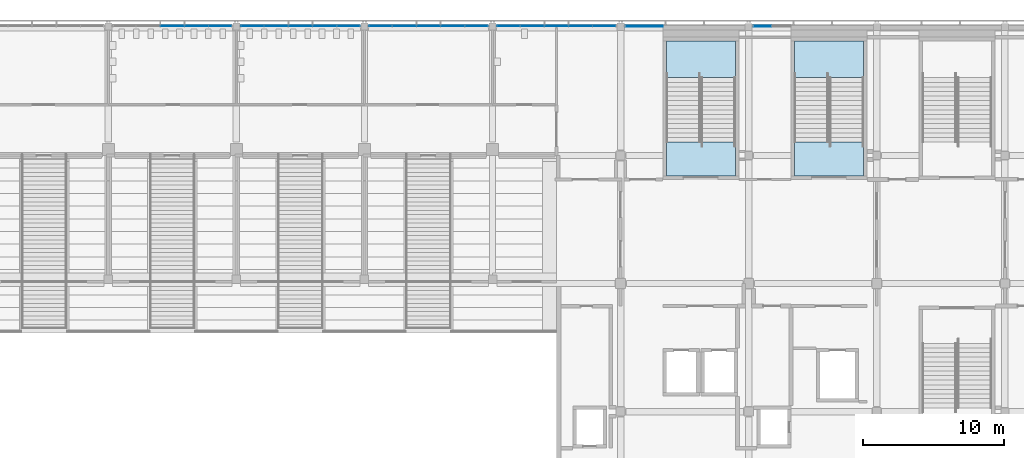
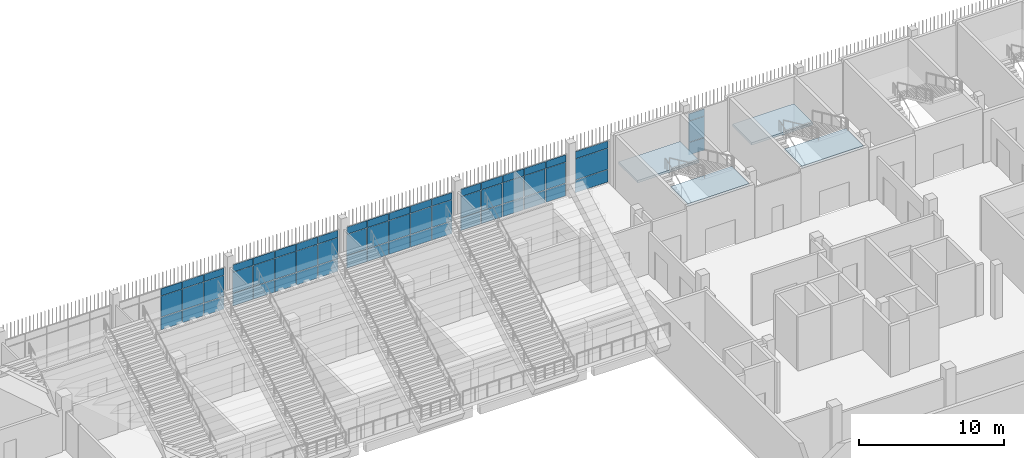
# One storey, part 69 of 139: 60 plates, 4 slabs, 8 elements without a shape of their own.
"""IFC4 building model written with IfcOpenShell, lengths in metres."""

from ifc_helpers import new_model, si_unit, direction, frame, origin, origin_2d, place, context, subcontext, project, spatial, polyline, rectangle, outline, extrude, material, layer, layer_set, type_object, element, aggregate, save


model = new_model("IFC4")

# Units and contexts
model_context = context("Model", 3, precision=1e-05, world=origin(), true_north=direction((0.0, 1.0)))
body_context = subcontext(model_context, "Body", "Model", "MODEL_VIEW")
ifc_project = project(units=[si_unit("LENGTHUNIT", "METRE"), si_unit("AREAUNIT", "SQUARE_METRE"), si_unit("VOLUMEUNIT", "CUBIC_METRE"), si_unit("PLANEANGLEUNIT", "RADIAN"), si_unit("MASSUNIT", "GRAM", prefix="KILO")], contexts=[model_context])

# Site, building, storey
site_placement = place(None, origin())
site = spatial("IfcSite", under=ifc_project, at=site_placement, CompositionType="ELEMENT")
building_placement = place(site_placement, origin())
building = spatial("IfcBuilding", under=site, at=building_placement, Name="Shirokan Park Arena", CompositionType="ELEMENT")
storey_placement = place(building_placement, frame((0.0, 0.0, 15.469970703125)))
storey = spatial("IfcBuildingStorey", under=building, at=storey_placement, Name="L03", CompositionType="ELEMENT", Elevation=15.469970703125)

# Curtain wall, plate
ifc_material_1 = material(Name="Steel and glass curtain wall", Category="steel")
ifc_layer_1 = layer(ifc_material_1, 0.1201171875)
ifc_layer_set_1 = layer_set([ifc_layer_1], Name="Steel and glass curtain wall 120 mm")
curtain_wall_type_1 = type_object("IfcCurtainWallType", Name="Curtain wall corner block side bay 120", PredefinedType="NOTDEFINED", material=ifc_layer_set_1)
curtain_wall_1_placement = place(storey_placement, origin())
curtain_wall_1 = element("IfcCurtainWall", 1, at=curtain_wall_1_placement, inside=storey, type_object=curtain_wall_type_1, Name="Curtain wall north bay 3 L03", PredefinedType="NOTDEFINED")
ifc_material_2 = material(Name="Aluminium sheet", Category="aluminium")
ifc_layer_2 = layer(ifc_material_2, 0.0029296875, Name="Aluminium sheet")
ifc_material_3 = material(Name="Mineral wool insulation")
ifc_layer_3 = layer(ifc_material_3, 0.053955078125, Name="Mineral wool insulation")
ifc_layer_4 = layer(ifc_material_2, 0.0029296875, Name="Aluminium sheet")
ifc_layer_set_2 = layer_set([ifc_layer_2, ifc_layer_3, ifc_layer_4], Name="Aluminium sheet + Mineral wool insulation")
plate_type_1 = type_object("IfcPlateType", Name="Insulated spandrel panel 60", PredefinedType="CURTAIN_PANEL", material=ifc_layer_set_2)
plate_1_placement = place(storey_placement, frame((119.27490234375, 109.2900390625, 2.919921875), z_axis=(0.0, 0.0, 1.0), x_axis=(-1.0, 0.0, 0.0)))
plate_1 = element("IfcPlate", 2, at=plate_1_placement, type_object=plate_type_1, Name="CW3 panel 2.3", PredefinedType="CURTAIN_PANEL", context=body_context, shape_type="SweptSolid", body=[
    extrude(rectangle(XDim=1.25, YDim=0.06005859375, at=origin_2d()), origin(), (0.0, 0.0, 1.0), 0.590087890625),
])

curtain_wall_2_placement = place(storey_placement, origin())
curtain_wall_2 = element("IfcCurtainWall", 3, at=curtain_wall_2_placement, inside=storey, type_object=curtain_wall_type_1, Name="Curtain wall north bay 4 L03", PredefinedType="NOTDEFINED")
plate_2_placement = place(storey_placement, frame((110.887451171875, 109.2900390625, 2.919921875), z_axis=(0.0, 0.0, 1.0), x_axis=(-1.0, 0.0, 0.0)))
plate_2 = element("IfcPlate", 4, at=plate_2_placement, type_object=plate_type_1, Name="CW3 panel 1.3", PredefinedType="CURTAIN_PANEL", context=body_context, shape_type="SweptSolid", body=[
    extrude(rectangle(XDim=2.625, YDim=0.06005859375, at=origin_2d()), origin(), (0.0, 0.0, 1.0), 0.590087890625),
])

# Curtain wall, plates
ifc_layer_5 = layer(ifc_material_1, 0.10009765625)
ifc_layer_set_3 = layer_set([ifc_layer_5], Name="Steel and glass curtain wall 100 mm")
curtain_wall_type_2 = type_object("IfcCurtainWallType", Name="Curtain wall sheltered bay 100", PredefinedType="NOTDEFINED", material=ifc_layer_set_3)
curtain_wall_3_placement = place(storey_placement, origin())
curtain_wall_3 = element("IfcCurtainWall", 5, at=curtain_wall_3_placement, inside=storey, type_object=curtain_wall_type_2, Name="Curtain wall north bay 5 L03", PredefinedType="NOTDEFINED")
plate_3_placement = place(storey_placement, frame((108.030029296875, 109.300048828125, 2.919921875), z_axis=(0.0, 0.0, 1.0), x_axis=(-1.0, 0.0, 0.0)))
plate_3 = element("IfcPlate", 6, at=plate_3_placement, type_object=plate_type_1, Name="CW2 panel 1.3", PredefinedType="CURTAIN_PANEL", context=body_context, shape_type="SweptSolid", body=[
    extrude(rectangle(XDim=1.590087890625, YDim=0.06005859375, at=origin_2d()), origin(), (0.0, 0.0, 1.0), 0.590087890625),
])
plate_4_placement = place(storey_placement, frame((106.3525390625, 109.300048828125, 2.919921875), z_axis=(0.0, 0.0, 1.0), x_axis=(-1.0, 0.0, 0.0)))
plate_4 = element("IfcPlate", 7, at=plate_4_placement, type_object=plate_type_1, Name="CW2 panel 2.3", PredefinedType="CURTAIN_PANEL", context=body_context, shape_type="SweptSolid", body=[
    extrude(rectangle(XDim=1.6650390625, YDim=0.06005859375, at=origin_2d()), origin(), (0.0, 0.0, 1.0), 0.590087890625),
])
plate_5_placement = place(storey_placement, frame((104.637451171875, 109.300048828125, 2.919921875), z_axis=(0.0, 0.0, 1.0), x_axis=(-1.0, 0.0, 0.0)))
plate_5 = element("IfcPlate", 8, at=plate_5_placement, type_object=plate_type_1, Name="CW2 panel 3.3", PredefinedType="CURTAIN_PANEL", context=body_context, shape_type="SweptSolid", body=[
    extrude(rectangle(XDim=1.6650390625, YDim=0.06005859375, at=origin_2d()), origin(), (0.0, 0.0, 1.0), 0.590087890625),
])
plate_6_placement = place(storey_placement, frame((102.922607421875, 109.300048828125, 2.919921875), z_axis=(0.0, 0.0, 1.0), x_axis=(-1.0, 0.0, 0.0)))
plate_6 = element("IfcPlate", 9, at=plate_6_placement, type_object=plate_type_1, Name="CW2 panel 4.3", PredefinedType="CURTAIN_PANEL", context=body_context, shape_type="SweptSolid", body=[
    extrude(rectangle(XDim=1.6650390625, YDim=0.06005859375, at=origin_2d()), origin(), (0.0, 0.0, 1.0), 0.590087890625),
])
plate_7_placement = place(storey_placement, frame((101.2451171875, 109.300048828125, 2.919921875), z_axis=(0.0, 0.0, 1.0), x_axis=(-1.0, 0.0, 0.0)))
plate_7 = element("IfcPlate", 10, at=plate_7_placement, type_object=plate_type_1, Name="CW2 panel 5.3", PredefinedType="CURTAIN_PANEL", context=body_context, shape_type="SweptSolid", body=[
    extrude(rectangle(XDim=1.590087890625, YDim=0.06005859375, at=origin_2d()), origin(), (0.0, 0.0, 1.0), 0.590087890625),
])

curtain_wall_4_placement = place(storey_placement, origin())
curtain_wall_4 = element("IfcCurtainWall", 11, at=curtain_wall_4_placement, inside=storey, type_object=curtain_wall_type_2, Name="Curtain wall north bay 6 L03", PredefinedType="NOTDEFINED")
plate_8_placement = place(storey_placement, frame((98.952392578125, 109.300048828125, 2.919921875), z_axis=(0.0, 0.0, 1.0), x_axis=(-1.0, 0.0, 0.0)))
plate_8 = element("IfcPlate", 12, at=plate_8_placement, type_object=plate_type_1, Name="CW2 panel 1.3", PredefinedType="CURTAIN_PANEL", context=body_context, shape_type="SweptSolid", body=[
    extrude(rectangle(XDim=1.594970703125, YDim=0.06005859375, at=origin_2d()), origin(), (0.0, 0.0, 1.0), 0.590087890625),
])
plate_9_placement = place(storey_placement, frame((97.27001953125, 109.300048828125, 2.919921875), z_axis=(0.0, 0.0, 1.0), x_axis=(-1.0, 0.0, 0.0)))
plate_9 = element("IfcPlate", 13, at=plate_9_placement, type_object=plate_type_1, Name="CW2 panel 2.3", PredefinedType="CURTAIN_PANEL", context=body_context, shape_type="SweptSolid", body=[
    extrude(rectangle(XDim=1.669921875, YDim=0.06005859375, at=origin_2d()), origin(), (0.0, 0.0, 1.0), 0.590087890625),
])
plate_10_placement = place(storey_placement, frame((95.550048828125, 109.300048828125, 2.919921875), z_axis=(0.0, 0.0, 1.0), x_axis=(-1.0, 0.0, 0.0)))
plate_10 = element("IfcPlate", 14, at=plate_10_placement, type_object=plate_type_1, Name="CW2 panel 3.3", PredefinedType="CURTAIN_PANEL", context=body_context, shape_type="SweptSolid", body=[
    extrude(rectangle(XDim=1.669921875, YDim=0.06005859375, at=origin_2d()), origin(), (0.0, 0.0, 1.0), 0.590087890625),
])
plate_11_placement = place(storey_placement, frame((93.830078125, 109.300048828125, 2.919921875), z_axis=(0.0, 0.0, 1.0), x_axis=(-1.0, 0.0, 0.0)))
plate_11 = element("IfcPlate", 15, at=plate_11_placement, type_object=plate_type_1, Name="CW2 panel 4.3", PredefinedType="CURTAIN_PANEL", context=body_context, shape_type="SweptSolid", body=[
    extrude(rectangle(XDim=1.669921875, YDim=0.06005859375, at=origin_2d()), origin(), (0.0, 0.0, 1.0), 0.590087890625),
])
plate_12_placement = place(storey_placement, frame((92.1474609375, 109.300048828125, 2.919921875), z_axis=(0.0, 0.0, 1.0), x_axis=(-1.0, 0.0, 0.0)))
plate_12 = element("IfcPlate", 16, at=plate_12_placement, type_object=plate_type_1, Name="CW2 panel 5.3", PredefinedType="CURTAIN_PANEL", context=body_context, shape_type="SweptSolid", body=[
    extrude(rectangle(XDim=1.594970703125, YDim=0.06005859375, at=origin_2d()), origin(), (0.0, 0.0, 1.0), 0.590087890625),
])

curtain_wall_5_placement = place(storey_placement, origin())
curtain_wall_5 = element("IfcCurtainWall", 17, at=curtain_wall_5_placement, inside=storey, type_object=curtain_wall_type_2, Name="Curtain wall north bay 7 L03", PredefinedType="NOTDEFINED")
plate_13_placement = place(storey_placement, frame((89.8525390625, 109.300048828125, 2.919921875), z_axis=(0.0, 0.0, 1.0), x_axis=(-1.0, 0.0, 0.0)))
plate_13 = element("IfcPlate", 18, at=plate_13_placement, type_object=plate_type_1, Name="CW2 panel 1.3", PredefinedType="CURTAIN_PANEL", context=body_context, shape_type="SweptSolid", body=[
    extrude(rectangle(XDim=1.594970703125, YDim=0.06005859375, at=origin_2d()), origin(), (0.0, 0.0, 1.0), 0.590087890625),
])
plate_14_placement = place(storey_placement, frame((88.169921875, 109.300048828125, 2.919921875), z_axis=(0.0, 0.0, 1.0), x_axis=(-1.0, 0.0, 0.0)))
plate_14 = element("IfcPlate", 19, at=plate_14_placement, type_object=plate_type_1, Name="CW2 panel 2.3", PredefinedType="CURTAIN_PANEL", context=body_context, shape_type="SweptSolid", body=[
    extrude(rectangle(XDim=1.669921875, YDim=0.06005859375, at=origin_2d()), origin(), (0.0, 0.0, 1.0), 0.590087890625),
])
plate_15_placement = place(storey_placement, frame((86.449951171875, 109.300048828125, 2.919921875), z_axis=(0.0, 0.0, 1.0), x_axis=(-1.0, 0.0, 0.0)))
plate_15 = element("IfcPlate", 20, at=plate_15_placement, type_object=plate_type_1, Name="CW2 panel 3.3", PredefinedType="CURTAIN_PANEL", context=body_context, shape_type="SweptSolid", body=[
    extrude(rectangle(XDim=1.669921875, YDim=0.06005859375, at=origin_2d()), origin(), (0.0, 0.0, 1.0), 0.590087890625),
])
plate_16_placement = place(storey_placement, frame((84.72998046875, 109.300048828125, 2.919921875), z_axis=(0.0, 0.0, 1.0), x_axis=(-1.0, 0.0, 0.0)))
plate_16 = element("IfcPlate", 21, at=plate_16_placement, type_object=plate_type_1, Name="CW2 panel 4.3", PredefinedType="CURTAIN_PANEL", context=body_context, shape_type="SweptSolid", body=[
    extrude(rectangle(XDim=1.669921875, YDim=0.06005859375, at=origin_2d()), origin(), (0.0, 0.0, 1.0), 0.590087890625),
])
plate_17_placement = place(storey_placement, frame((83.047607421875, 109.300048828125, 2.919921875), z_axis=(0.0, 0.0, 1.0), x_axis=(-1.0, 0.0, 0.0)))
plate_17 = element("IfcPlate", 22, at=plate_17_placement, type_object=plate_type_1, Name="CW2 panel 5.3", PredefinedType="CURTAIN_PANEL", context=body_context, shape_type="SweptSolid", body=[
    extrude(rectangle(XDim=1.594970703125, YDim=0.06005859375, at=origin_2d()), origin(), (0.0, 0.0, 1.0), 0.590087890625),
])

curtain_wall_6_placement = place(storey_placement, origin())
curtain_wall_6 = element("IfcCurtainWall", 23, at=curtain_wall_6_placement, inside=storey, type_object=curtain_wall_type_2, Name="Curtain wall north bay 8 L03", PredefinedType="NOTDEFINED")
plate_18_placement = place(storey_placement, frame((80.75244140625, 109.300048828125, 2.919921875), z_axis=(0.0, 0.0, 1.0), x_axis=(-1.0, 0.0, 0.0)))
plate_18 = element("IfcPlate", 24, at=plate_18_placement, type_object=plate_type_1, Name="CW2 panel 1.3", PredefinedType="CURTAIN_PANEL", context=body_context, shape_type="SweptSolid", body=[
    extrude(rectangle(XDim=1.594970703125, YDim=0.06005859375, at=origin_2d()), origin(), (0.0, 0.0, 1.0), 0.590087890625),
])
plate_19_placement = place(storey_placement, frame((79.070068359375, 109.300048828125, 2.919921875), z_axis=(0.0, 0.0, 1.0), x_axis=(-1.0, 0.0, 0.0)))
plate_19 = element("IfcPlate", 25, at=plate_19_placement, type_object=plate_type_1, Name="CW2 panel 2.3", PredefinedType="CURTAIN_PANEL", context=body_context, shape_type="SweptSolid", body=[
    extrude(rectangle(XDim=1.669921875, YDim=0.06005859375, at=origin_2d()), origin(), (0.0, 0.0, 1.0), 0.590087890625),
])
plate_20_placement = place(storey_placement, frame((77.35009765625, 109.300048828125, 2.919921875), z_axis=(0.0, 0.0, 1.0), x_axis=(-1.0, 0.0, 0.0)))
plate_20 = element("IfcPlate", 26, at=plate_20_placement, type_object=plate_type_1, Name="CW2 panel 3.3", PredefinedType="CURTAIN_PANEL", context=body_context, shape_type="SweptSolid", body=[
    extrude(rectangle(XDim=1.669921875, YDim=0.06005859375, at=origin_2d()), origin(), (0.0, 0.0, 1.0), 0.590087890625),
])

# Plate
ifc_material_4 = material(Name="Toughened glass", Category="glass")
ifc_layer_6 = layer(ifc_material_4, 0.012939453125, Name="Toughened glass")
ifc_material_5 = material(Name="Interlayer film")
ifc_layer_7 = layer(ifc_material_5, 0.001953125, Name="Interlayer film")
ifc_layer_8 = layer(ifc_material_4, 0.012939453125, Name="Toughened glass")
ifc_layer_set_4 = layer_set([ifc_layer_6, ifc_layer_7, ifc_layer_8], Name="Toughened glass + Interlayer film")
plate_type_2 = type_object("IfcPlateType", Name="Laminated glass panel 28", PredefinedType="CURTAIN_PANEL", material=ifc_layer_set_4)
plate_21_placement = place(storey_placement, frame((119.27490234375, 109.2900390625, 1.1201171875), z_axis=(0.0, 0.0, 1.0), x_axis=(-1.0, 0.0, 0.0)))
plate_21 = element("IfcPlate", 27, at=plate_21_placement, type_object=plate_type_2, Name="CW3 panel 2.2", PredefinedType="CURTAIN_PANEL", context=body_context, shape_type="SweptSolid", body=[
    extrude(rectangle(XDim=1.25, YDim=0.028076171875, at=origin_2d()), origin(), (0.0, 0.0, 1.0), 1.760009765625),
])

plate_22_placement = place(storey_placement, frame((110.887451171875, 109.2900390625, 1.1201171875), z_axis=(0.0, 0.0, 1.0), x_axis=(-1.0, 0.0, 0.0)))
plate_22 = element("IfcPlate", 28, at=plate_22_placement, type_object=plate_type_2, Name="CW3 panel 1.2", PredefinedType="CURTAIN_PANEL", context=body_context, shape_type="SweptSolid", body=[
    extrude(rectangle(XDim=2.625, YDim=0.028076171875, at=origin_2d()), origin(), (0.0, 0.0, 1.0), 1.760009765625),
])

plate_23_placement = place(storey_placement, frame((108.030029296875, 109.300048828125, 1.1201171875), z_axis=(0.0, 0.0, 1.0), x_axis=(-1.0, 0.0, 0.0)))
plate_23 = element("IfcPlate", 29, at=plate_23_placement, type_object=plate_type_2, Name="CW2 panel 1.2", PredefinedType="CURTAIN_PANEL", context=body_context, shape_type="SweptSolid", body=[
    extrude(rectangle(XDim=1.590087890625, YDim=0.028076171875, at=origin_2d()), origin(), (0.0, 0.0, 1.0), 1.760009765625),
])

plate_24_placement = place(storey_placement, frame((106.3525390625, 109.300048828125, 1.1201171875), z_axis=(0.0, 0.0, 1.0), x_axis=(-1.0, 0.0, 0.0)))
plate_24 = element("IfcPlate", 30, at=plate_24_placement, type_object=plate_type_2, Name="CW2 panel 2.2", PredefinedType="CURTAIN_PANEL", context=body_context, shape_type="SweptSolid", body=[
    extrude(rectangle(XDim=1.6650390625, YDim=0.028076171875, at=origin_2d()), origin(), (0.0, 0.0, 1.0), 1.760009765625),
])

plate_25_placement = place(storey_placement, frame((104.637451171875, 109.300048828125, 1.1201171875), z_axis=(0.0, 0.0, 1.0), x_axis=(-1.0, 0.0, 0.0)))
plate_25 = element("IfcPlate", 31, at=plate_25_placement, type_object=plate_type_2, Name="CW2 panel 3.2", PredefinedType="CURTAIN_PANEL", context=body_context, shape_type="SweptSolid", body=[
    extrude(rectangle(XDim=1.6650390625, YDim=0.028076171875, at=origin_2d()), origin(), (0.0, 0.0, 1.0), 1.760009765625),
])

plate_26_placement = place(storey_placement, frame((102.922607421875, 109.300048828125, 1.1201171875), z_axis=(0.0, 0.0, 1.0), x_axis=(-1.0, 0.0, 0.0)))
plate_26 = element("IfcPlate", 32, at=plate_26_placement, type_object=plate_type_2, Name="CW2 panel 4.2", PredefinedType="CURTAIN_PANEL", context=body_context, shape_type="SweptSolid", body=[
    extrude(rectangle(XDim=1.6650390625, YDim=0.028076171875, at=origin_2d()), origin(), (0.0, 0.0, 1.0), 1.760009765625),
])

plate_27_placement = place(storey_placement, frame((101.2451171875, 109.300048828125, 1.1201171875), z_axis=(0.0, 0.0, 1.0), x_axis=(-1.0, 0.0, 0.0)))
plate_27 = element("IfcPlate", 33, at=plate_27_placement, type_object=plate_type_2, Name="CW2 panel 5.2", PredefinedType="CURTAIN_PANEL", context=body_context, shape_type="SweptSolid", body=[
    extrude(rectangle(XDim=1.590087890625, YDim=0.028076171875, at=origin_2d()), origin(), (0.0, 0.0, 1.0), 1.760009765625),
])

plate_28_placement = place(storey_placement, frame((98.952392578125, 109.300048828125, 1.1201171875), z_axis=(0.0, 0.0, 1.0), x_axis=(-1.0, 0.0, 0.0)))
plate_28 = element("IfcPlate", 34, at=plate_28_placement, type_object=plate_type_2, Name="CW2 panel 1.2", PredefinedType="CURTAIN_PANEL", context=body_context, shape_type="SweptSolid", body=[
    extrude(rectangle(XDim=1.594970703125, YDim=0.028076171875, at=origin_2d()), origin(), (0.0, 0.0, 1.0), 1.760009765625),
])

plate_29_placement = place(storey_placement, frame((97.27001953125, 109.300048828125, 1.1201171875), z_axis=(0.0, 0.0, 1.0), x_axis=(-1.0, 0.0, 0.0)))
plate_29 = element("IfcPlate", 35, at=plate_29_placement, type_object=plate_type_2, Name="CW2 panel 2.2", PredefinedType="CURTAIN_PANEL", context=body_context, shape_type="SweptSolid", body=[
    extrude(rectangle(XDim=1.669921875, YDim=0.028076171875, at=origin_2d()), origin(), (0.0, 0.0, 1.0), 1.760009765625),
])

plate_30_placement = place(storey_placement, frame((95.550048828125, 109.300048828125, 1.1201171875), z_axis=(0.0, 0.0, 1.0), x_axis=(-1.0, 0.0, 0.0)))
plate_30 = element("IfcPlate", 36, at=plate_30_placement, type_object=plate_type_2, Name="CW2 panel 3.2", PredefinedType="CURTAIN_PANEL", context=body_context, shape_type="SweptSolid", body=[
    extrude(rectangle(XDim=1.669921875, YDim=0.028076171875, at=origin_2d()), origin(), (0.0, 0.0, 1.0), 1.760009765625),
])

plate_31_placement = place(storey_placement, frame((93.830078125, 109.300048828125, 1.1201171875), z_axis=(0.0, 0.0, 1.0), x_axis=(-1.0, 0.0, 0.0)))
plate_31 = element("IfcPlate", 37, at=plate_31_placement, type_object=plate_type_2, Name="CW2 panel 4.2", PredefinedType="CURTAIN_PANEL", context=body_context, shape_type="SweptSolid", body=[
    extrude(rectangle(XDim=1.669921875, YDim=0.028076171875, at=origin_2d()), origin(), (0.0, 0.0, 1.0), 1.760009765625),
])

plate_32_placement = place(storey_placement, frame((92.1474609375, 109.300048828125, 1.1201171875), z_axis=(0.0, 0.0, 1.0), x_axis=(-1.0, 0.0, 0.0)))
plate_32 = element("IfcPlate", 38, at=plate_32_placement, type_object=plate_type_2, Name="CW2 panel 5.2", PredefinedType="CURTAIN_PANEL", context=body_context, shape_type="SweptSolid", body=[
    extrude(rectangle(XDim=1.594970703125, YDim=0.028076171875, at=origin_2d()), origin(), (0.0, 0.0, 1.0), 1.760009765625),
])

plate_33_placement = place(storey_placement, frame((89.8525390625, 109.300048828125, 1.1201171875), z_axis=(0.0, 0.0, 1.0), x_axis=(-1.0, 0.0, 0.0)))
plate_33 = element("IfcPlate", 39, at=plate_33_placement, type_object=plate_type_2, Name="CW2 panel 1.2", PredefinedType="CURTAIN_PANEL", context=body_context, shape_type="SweptSolid", body=[
    extrude(rectangle(XDim=1.594970703125, YDim=0.028076171875, at=origin_2d()), origin(), (0.0, 0.0, 1.0), 1.760009765625),
])

plate_34_placement = place(storey_placement, frame((88.169921875, 109.300048828125, 1.1201171875), z_axis=(0.0, 0.0, 1.0), x_axis=(-1.0, 0.0, 0.0)))
plate_34 = element("IfcPlate", 40, at=plate_34_placement, type_object=plate_type_2, Name="CW2 panel 2.2", PredefinedType="CURTAIN_PANEL", context=body_context, shape_type="SweptSolid", body=[
    extrude(rectangle(XDim=1.669921875, YDim=0.028076171875, at=origin_2d()), origin(), (0.0, 0.0, 1.0), 1.760009765625),
])

plate_35_placement = place(storey_placement, frame((86.449951171875, 109.300048828125, 1.1201171875), z_axis=(0.0, 0.0, 1.0), x_axis=(-1.0, 0.0, 0.0)))
plate_35 = element("IfcPlate", 41, at=plate_35_placement, type_object=plate_type_2, Name="CW2 panel 3.2", PredefinedType="CURTAIN_PANEL", context=body_context, shape_type="SweptSolid", body=[
    extrude(rectangle(XDim=1.669921875, YDim=0.028076171875, at=origin_2d()), origin(), (0.0, 0.0, 1.0), 1.760009765625),
])

plate_36_placement = place(storey_placement, frame((84.72998046875, 109.300048828125, 1.1201171875), z_axis=(0.0, 0.0, 1.0), x_axis=(-1.0, 0.0, 0.0)))
plate_36 = element("IfcPlate", 42, at=plate_36_placement, type_object=plate_type_2, Name="CW2 panel 4.2", PredefinedType="CURTAIN_PANEL", context=body_context, shape_type="SweptSolid", body=[
    extrude(rectangle(XDim=1.669921875, YDim=0.028076171875, at=origin_2d()), origin(), (0.0, 0.0, 1.0), 1.760009765625),
])

plate_37_placement = place(storey_placement, frame((83.047607421875, 109.300048828125, 1.1201171875), z_axis=(0.0, 0.0, 1.0), x_axis=(-1.0, 0.0, 0.0)))
plate_37 = element("IfcPlate", 43, at=plate_37_placement, type_object=plate_type_2, Name="CW2 panel 5.2", PredefinedType="CURTAIN_PANEL", context=body_context, shape_type="SweptSolid", body=[
    extrude(rectangle(XDim=1.594970703125, YDim=0.028076171875, at=origin_2d()), origin(), (0.0, 0.0, 1.0), 1.760009765625),
])

plate_38_placement = place(storey_placement, frame((80.75244140625, 109.300048828125, 1.1201171875), z_axis=(0.0, 0.0, 1.0), x_axis=(-1.0, 0.0, 0.0)))
plate_38 = element("IfcPlate", 44, at=plate_38_placement, type_object=plate_type_2, Name="CW2 panel 1.2", PredefinedType="CURTAIN_PANEL", context=body_context, shape_type="SweptSolid", body=[
    extrude(rectangle(XDim=1.594970703125, YDim=0.028076171875, at=origin_2d()), origin(), (0.0, 0.0, 1.0), 1.760009765625),
])

plate_39_placement = place(storey_placement, frame((79.070068359375, 109.300048828125, 1.1201171875), z_axis=(0.0, 0.0, 1.0), x_axis=(-1.0, 0.0, 0.0)))
plate_39 = element("IfcPlate", 45, at=plate_39_placement, type_object=plate_type_2, Name="CW2 panel 2.2", PredefinedType="CURTAIN_PANEL", context=body_context, shape_type="SweptSolid", body=[
    extrude(rectangle(XDim=1.669921875, YDim=0.028076171875, at=origin_2d()), origin(), (0.0, 0.0, 1.0), 1.760009765625),
])

plate_40_placement = place(storey_placement, frame((77.35009765625, 109.300048828125, 1.1201171875), z_axis=(0.0, 0.0, 1.0), x_axis=(-1.0, 0.0, 0.0)))
plate_40 = element("IfcPlate", 46, at=plate_40_placement, type_object=plate_type_2, Name="CW2 panel 3.2", PredefinedType="CURTAIN_PANEL", context=body_context, shape_type="SweptSolid", body=[
    extrude(rectangle(XDim=1.669921875, YDim=0.028076171875, at=origin_2d()), origin(), (0.0, 0.0, 1.0), 1.760009765625),
])

ifc_layer_9 = layer(ifc_material_4, 0.01708984375, Name="Toughened glass")
ifc_layer_10 = layer(ifc_material_5, 0.001953125, Name="Interlayer film")
ifc_layer_11 = layer(ifc_material_4, 0.01708984375, Name="Toughened glass")
ifc_layer_set_5 = layer_set([ifc_layer_9, ifc_layer_10, ifc_layer_11], Name="Toughened glass + Interlayer film")
plate_type_3 = type_object("IfcPlateType", Name="Laminated safety glass panel 36", PredefinedType="CURTAIN_PANEL", material=ifc_layer_set_5)
plate_41_placement = place(storey_placement, frame((119.27490234375, 109.2900390625, 0.0400390625), z_axis=(0.0, 0.0, 1.0), x_axis=(-1.0, 0.0, 0.0)))
plate_41 = element("IfcPlate", 47, at=plate_41_placement, type_object=plate_type_3, Name="CW3 panel 2.1", PredefinedType="CURTAIN_PANEL", context=body_context, shape_type="SweptSolid", body=[
    extrude(rectangle(XDim=1.25, YDim=0.035888671875, at=origin_2d()), origin(), (0.0, 0.0, 1.0), 1.0400390625),
])

aggregate(curtain_wall_1, [plate_41, plate_21, plate_1])

plate_42_placement = place(storey_placement, frame((110.887451171875, 109.2900390625, 0.0400390625), z_axis=(0.0, 0.0, 1.0), x_axis=(-1.0, 0.0, 0.0)))
plate_42 = element("IfcPlate", 48, at=plate_42_placement, type_object=plate_type_3, Name="CW3 panel 1.1", PredefinedType="CURTAIN_PANEL", context=body_context, shape_type="SweptSolid", body=[
    extrude(rectangle(XDim=2.625, YDim=0.035888671875, at=origin_2d()), origin(), (0.0, 0.0, 1.0), 1.0400390625),
])

aggregate(curtain_wall_2, [plate_42, plate_22, plate_2])

plate_43_placement = place(storey_placement, frame((108.030029296875, 109.300048828125, 0.0400390625), z_axis=(0.0, 0.0, 1.0), x_axis=(-1.0, 0.0, 0.0)))
plate_43 = element("IfcPlate", 49, at=plate_43_placement, type_object=plate_type_3, Name="CW2 panel 1.1", PredefinedType="CURTAIN_PANEL", context=body_context, shape_type="SweptSolid", body=[
    extrude(rectangle(XDim=1.590087890625, YDim=0.035888671875, at=origin_2d()), origin(), (0.0, 0.0, 1.0), 1.0400390625),
])

plate_44_placement = place(storey_placement, frame((106.3525390625, 109.300048828125, 0.0400390625), z_axis=(0.0, 0.0, 1.0), x_axis=(-1.0, 0.0, 0.0)))
plate_44 = element("IfcPlate", 50, at=plate_44_placement, type_object=plate_type_3, Name="CW2 panel 2.1", PredefinedType="CURTAIN_PANEL", context=body_context, shape_type="SweptSolid", body=[
    extrude(rectangle(XDim=1.6650390625, YDim=0.035888671875, at=origin_2d()), origin(), (0.0, 0.0, 1.0), 1.0400390625),
])

plate_45_placement = place(storey_placement, frame((104.637451171875, 109.300048828125, 0.0400390625), z_axis=(0.0, 0.0, 1.0), x_axis=(-1.0, 0.0, 0.0)))
plate_45 = element("IfcPlate", 51, at=plate_45_placement, type_object=plate_type_3, Name="CW2 panel 3.1", PredefinedType="CURTAIN_PANEL", context=body_context, shape_type="SweptSolid", body=[
    extrude(rectangle(XDim=1.6650390625, YDim=0.035888671875, at=origin_2d()), origin(), (0.0, 0.0, 1.0), 1.0400390625),
])

plate_46_placement = place(storey_placement, frame((102.922607421875, 109.300048828125, 0.0400390625), z_axis=(0.0, 0.0, 1.0), x_axis=(-1.0, 0.0, 0.0)))
plate_46 = element("IfcPlate", 52, at=plate_46_placement, type_object=plate_type_3, Name="CW2 panel 4.1", PredefinedType="CURTAIN_PANEL", context=body_context, shape_type="SweptSolid", body=[
    extrude(rectangle(XDim=1.6650390625, YDim=0.035888671875, at=origin_2d()), origin(), (0.0, 0.0, 1.0), 1.0400390625),
])

plate_47_placement = place(storey_placement, frame((101.2451171875, 109.300048828125, 0.0400390625), z_axis=(0.0, 0.0, 1.0), x_axis=(-1.0, 0.0, 0.0)))
plate_47 = element("IfcPlate", 53, at=plate_47_placement, type_object=plate_type_3, Name="CW2 panel 5.1", PredefinedType="CURTAIN_PANEL", context=body_context, shape_type="SweptSolid", body=[
    extrude(rectangle(XDim=1.590087890625, YDim=0.035888671875, at=origin_2d()), origin(), (0.0, 0.0, 1.0), 1.0400390625),
])

aggregate(curtain_wall_3, [plate_43, plate_23, plate_3, plate_44, plate_24, plate_4, plate_45, plate_25, plate_5, plate_46, plate_26, plate_6, plate_47, plate_27, plate_7])

plate_48_placement = place(storey_placement, frame((98.952392578125, 109.300048828125, 0.0400390625), z_axis=(0.0, 0.0, 1.0), x_axis=(-1.0, 0.0, 0.0)))
plate_48 = element("IfcPlate", 54, at=plate_48_placement, type_object=plate_type_3, Name="CW2 panel 1.1", PredefinedType="CURTAIN_PANEL", context=body_context, shape_type="SweptSolid", body=[
    extrude(rectangle(XDim=1.594970703125, YDim=0.035888671875, at=origin_2d()), origin(), (0.0, 0.0, 1.0), 1.0400390625),
])

plate_49_placement = place(storey_placement, frame((97.27001953125, 109.300048828125, 0.0400390625), z_axis=(0.0, 0.0, 1.0), x_axis=(-1.0, 0.0, 0.0)))
plate_49 = element("IfcPlate", 55, at=plate_49_placement, type_object=plate_type_3, Name="CW2 panel 2.1", PredefinedType="CURTAIN_PANEL", context=body_context, shape_type="SweptSolid", body=[
    extrude(rectangle(XDim=1.669921875, YDim=0.035888671875, at=origin_2d()), origin(), (0.0, 0.0, 1.0), 1.0400390625),
])

plate_50_placement = place(storey_placement, frame((95.550048828125, 109.300048828125, 0.0400390625), z_axis=(0.0, 0.0, 1.0), x_axis=(-1.0, 0.0, 0.0)))
plate_50 = element("IfcPlate", 56, at=plate_50_placement, type_object=plate_type_3, Name="CW2 panel 3.1", PredefinedType="CURTAIN_PANEL", context=body_context, shape_type="SweptSolid", body=[
    extrude(rectangle(XDim=1.669921875, YDim=0.035888671875, at=origin_2d()), origin(), (0.0, 0.0, 1.0), 1.0400390625),
])

plate_51_placement = place(storey_placement, frame((93.830078125, 109.300048828125, 0.0400390625), z_axis=(0.0, 0.0, 1.0), x_axis=(-1.0, 0.0, 0.0)))
plate_51 = element("IfcPlate", 57, at=plate_51_placement, type_object=plate_type_3, Name="CW2 panel 4.1", PredefinedType="CURTAIN_PANEL", context=body_context, shape_type="SweptSolid", body=[
    extrude(rectangle(XDim=1.669921875, YDim=0.035888671875, at=origin_2d()), origin(), (0.0, 0.0, 1.0), 1.0400390625),
])

plate_52_placement = place(storey_placement, frame((92.1474609375, 109.300048828125, 0.0400390625), z_axis=(0.0, 0.0, 1.0), x_axis=(-1.0, 0.0, 0.0)))
plate_52 = element("IfcPlate", 58, at=plate_52_placement, type_object=plate_type_3, Name="CW2 panel 5.1", PredefinedType="CURTAIN_PANEL", context=body_context, shape_type="SweptSolid", body=[
    extrude(rectangle(XDim=1.594970703125, YDim=0.035888671875, at=origin_2d()), origin(), (0.0, 0.0, 1.0), 1.0400390625),
])

aggregate(curtain_wall_4, [plate_48, plate_28, plate_8, plate_49, plate_29, plate_9, plate_50, plate_30, plate_10, plate_51, plate_31, plate_11, plate_52, plate_32, plate_12])

plate_53_placement = place(storey_placement, frame((89.8525390625, 109.300048828125, 0.0400390625), z_axis=(0.0, 0.0, 1.0), x_axis=(-1.0, 0.0, 0.0)))
plate_53 = element("IfcPlate", 59, at=plate_53_placement, type_object=plate_type_3, Name="CW2 panel 1.1", PredefinedType="CURTAIN_PANEL", context=body_context, shape_type="SweptSolid", body=[
    extrude(rectangle(XDim=1.594970703125, YDim=0.035888671875, at=origin_2d()), origin(), (0.0, 0.0, 1.0), 1.0400390625),
])

plate_54_placement = place(storey_placement, frame((88.169921875, 109.300048828125, 0.0400390625), z_axis=(0.0, 0.0, 1.0), x_axis=(-1.0, 0.0, 0.0)))
plate_54 = element("IfcPlate", 60, at=plate_54_placement, type_object=plate_type_3, Name="CW2 panel 2.1", PredefinedType="CURTAIN_PANEL", context=body_context, shape_type="SweptSolid", body=[
    extrude(rectangle(XDim=1.669921875, YDim=0.035888671875, at=origin_2d()), origin(), (0.0, 0.0, 1.0), 1.0400390625),
])

plate_55_placement = place(storey_placement, frame((86.449951171875, 109.300048828125, 0.0400390625), z_axis=(0.0, 0.0, 1.0), x_axis=(-1.0, 0.0, 0.0)))
plate_55 = element("IfcPlate", 61, at=plate_55_placement, type_object=plate_type_3, Name="CW2 panel 3.1", PredefinedType="CURTAIN_PANEL", context=body_context, shape_type="SweptSolid", body=[
    extrude(rectangle(XDim=1.669921875, YDim=0.035888671875, at=origin_2d()), origin(), (0.0, 0.0, 1.0), 1.0400390625),
])

plate_56_placement = place(storey_placement, frame((84.72998046875, 109.300048828125, 0.0400390625), z_axis=(0.0, 0.0, 1.0), x_axis=(-1.0, 0.0, 0.0)))
plate_56 = element("IfcPlate", 62, at=plate_56_placement, type_object=plate_type_3, Name="CW2 panel 4.1", PredefinedType="CURTAIN_PANEL", context=body_context, shape_type="SweptSolid", body=[
    extrude(rectangle(XDim=1.669921875, YDim=0.035888671875, at=origin_2d()), origin(), (0.0, 0.0, 1.0), 1.0400390625),
])

plate_57_placement = place(storey_placement, frame((83.047607421875, 109.300048828125, 0.0400390625), z_axis=(0.0, 0.0, 1.0), x_axis=(-1.0, 0.0, 0.0)))
plate_57 = element("IfcPlate", 63, at=plate_57_placement, type_object=plate_type_3, Name="CW2 panel 5.1", PredefinedType="CURTAIN_PANEL", context=body_context, shape_type="SweptSolid", body=[
    extrude(rectangle(XDim=1.594970703125, YDim=0.035888671875, at=origin_2d()), origin(), (0.0, 0.0, 1.0), 1.0400390625),
])

aggregate(curtain_wall_5, [plate_53, plate_33, plate_13, plate_54, plate_34, plate_14, plate_55, plate_35, plate_15, plate_56, plate_36, plate_16, plate_57, plate_37, plate_17])

plate_58_placement = place(storey_placement, frame((80.75244140625, 109.300048828125, 0.0400390625), z_axis=(0.0, 0.0, 1.0), x_axis=(-1.0, 0.0, 0.0)))
plate_58 = element("IfcPlate", 64, at=plate_58_placement, type_object=plate_type_3, Name="CW2 panel 1.1", PredefinedType="CURTAIN_PANEL", context=body_context, shape_type="SweptSolid", body=[
    extrude(rectangle(XDim=1.594970703125, YDim=0.035888671875, at=origin_2d()), origin(), (0.0, 0.0, 1.0), 1.0400390625),
])

plate_59_placement = place(storey_placement, frame((79.070068359375, 109.300048828125, 0.0400390625), z_axis=(0.0, 0.0, 1.0), x_axis=(-1.0, 0.0, 0.0)))
plate_59 = element("IfcPlate", 65, at=plate_59_placement, type_object=plate_type_3, Name="CW2 panel 2.1", PredefinedType="CURTAIN_PANEL", context=body_context, shape_type="SweptSolid", body=[
    extrude(rectangle(XDim=1.669921875, YDim=0.035888671875, at=origin_2d()), origin(), (0.0, 0.0, 1.0), 1.0400390625),
])

plate_60_placement = place(storey_placement, frame((77.35009765625, 109.300048828125, 0.0400390625), z_axis=(0.0, 0.0, 1.0), x_axis=(-1.0, 0.0, 0.0)))
plate_60 = element("IfcPlate", 66, at=plate_60_placement, type_object=plate_type_3, Name="CW2 panel 3.1", PredefinedType="CURTAIN_PANEL", context=body_context, shape_type="SweptSolid", body=[
    extrude(rectangle(XDim=1.669921875, YDim=0.035888671875, at=origin_2d()), origin(), (0.0, 0.0, 1.0), 1.0400390625),
])

aggregate(curtain_wall_6, [plate_58, plate_38, plate_18, plate_59, plate_39, plate_19, plate_60, plate_40, plate_20])

# Stair, slabs
ifc_material_6 = material(Name="Concrete C30 precast", Category="concrete")
stair_type = type_object("IfcStairType", Name="Stair 30 risers 152 x 327 2400 wide", PredefinedType="TWO_STRAIGHT_RUN_STAIR", material=ifc_material_6)
stair_1_placement = place(storey_placement, origin())
stair_1 = element("IfcStair", 67, at=stair_1_placement, inside=storey, type_object=stair_type, Name="Exit Stair 3.C L03 to L04", PredefinedType="TWO_STRAIGHT_RUN_STAIR")
ifc_layer_12 = layer(ifc_material_6, 0.199951171875)
ifc_layer_set_6 = layer_set([ifc_layer_12], Name="Concrete C30 precast 200 mm")
slab_type = type_object("IfcSlabType", Name="Stair landing 200", PredefinedType="LANDING", material=ifc_layer_set_6)
slab_1_placement = place(storey_placement, frame((0.0, 0.0, 2.074951171875)))
slab_1 = element("IfcSlab", 68, at=slab_1_placement, type_object=slab_type, Name="ST18.4 landing 1", PredefinedType="LANDING", context=body_context, shape_type="SweptSolid", body=[
    extrude(outline(polyline([(121.550048828125, 105.623779296875), (126.449951171875, 105.623779296875), (126.449951171875, 108.25), (121.550048828125, 108.25), (121.550048828125, 105.623779296875)])), origin(), (0.0, 0.0, 1.0), 0.2001953125),
])
slab_2_placement = place(storey_placement, frame((0.0, 0.0, 4.35009765625)))
slab_2 = element("IfcSlab", 69, at=slab_2_placement, type_object=slab_type, Name="ST18.4 landing 2", PredefinedType="LANDING", context=body_context, shape_type="SweptSolid", body=[
    extrude(outline(polyline([(121.550048828125, 98.64990234375), (126.449951171875, 98.64990234375), (126.449951171875, 101.050048828125), (121.550048828125, 101.050048828125), (121.550048828125, 98.64990234375)])), origin(), (0.0, 0.0, 1.0), 0.199951171875),
])
aggregate(stair_1, [slab_1, slab_2])

stair_2_placement = place(storey_placement, origin())
stair_2 = element("IfcStair", 70, at=stair_2_placement, inside=storey, type_object=stair_type, Name="Exit Stair 3.D L03 to L04", PredefinedType="TWO_STRAIGHT_RUN_STAIR")
slab_3_placement = place(storey_placement, frame((0.0, 0.0, 2.074951171875)))
slab_3 = element("IfcSlab", 71, at=slab_3_placement, type_object=slab_type, Name="ST19.4 landing 1", PredefinedType="LANDING", context=body_context, shape_type="SweptSolid", body=[
    extrude(outline(polyline([(112.449951171875, 105.623779296875), (117.35009765625, 105.623779296875), (117.35009765625, 108.25), (112.449951171875, 108.25), (112.449951171875, 105.623779296875)])), origin(), (0.0, 0.0, 1.0), 0.2001953125),
])
slab_4_placement = place(storey_placement, frame((0.0, 0.0, 4.35009765625)))
slab_4 = element("IfcSlab", 72, at=slab_4_placement, type_object=slab_type, Name="ST19.4 landing 2", PredefinedType="LANDING", context=body_context, shape_type="SweptSolid", body=[
    extrude(outline(polyline([(112.449951171875, 98.64990234375), (117.35009765625, 98.64990234375), (117.35009765625, 101.050048828125), (112.449951171875, 101.050048828125), (112.449951171875, 98.64990234375)])), origin(), (0.0, 0.0, 1.0), 0.199951171875),
])
aggregate(stair_2, [slab_3, slab_4])

save(model, "model.ifc")
